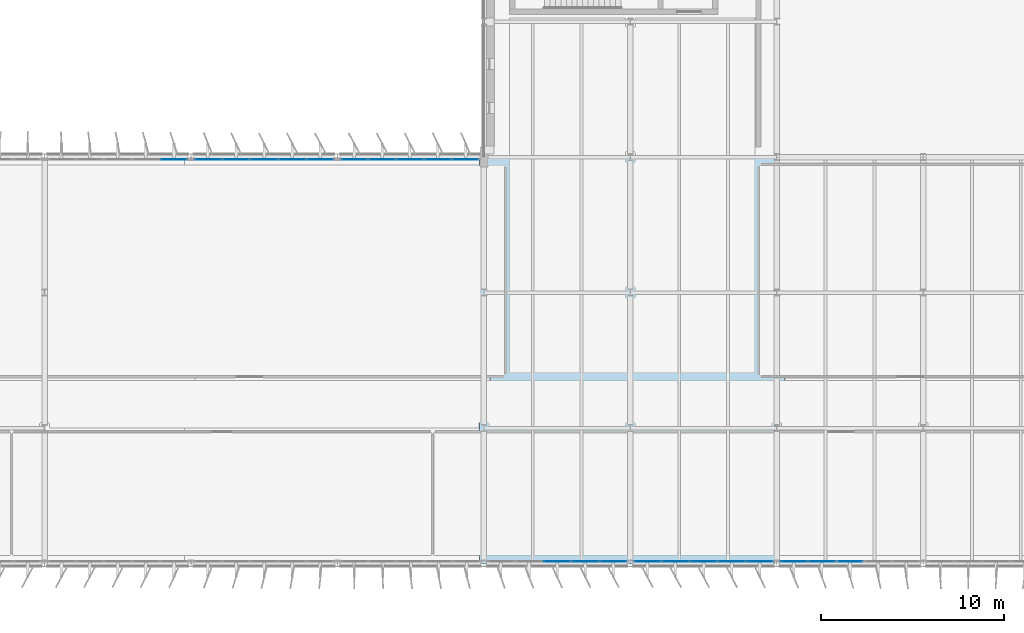
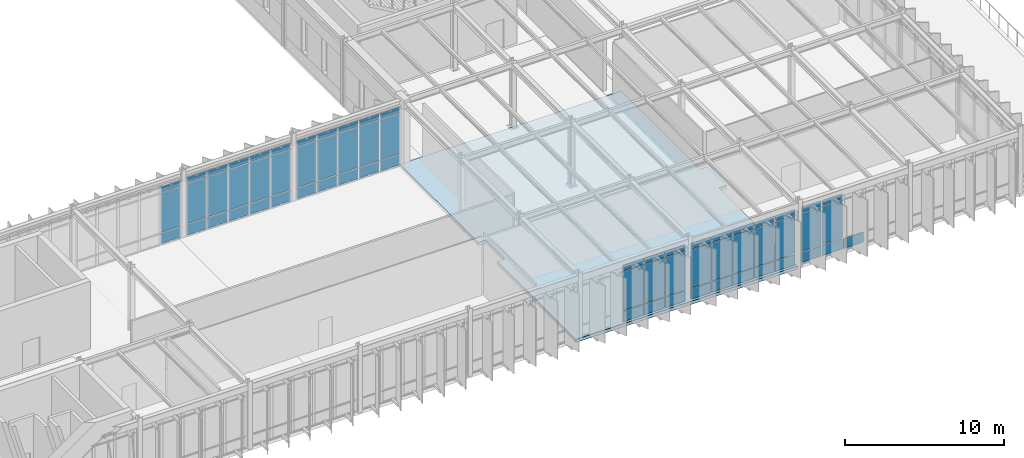
# One storey, part 30 of 48: 64 plates, 1 slab, 6 elements without a shape of their own.
"""IFC4 building model written with IfcOpenShell, lengths in metres."""

from ifc_helpers import new_model, si_unit, direction, frame, origin, origin_2d, place, context, subcontext, project, spatial, polyline, rectangle, outline, extrude, material, layer, layer_set, type_object, element, aggregate, save


model = new_model("IFC4")

# Units and contexts
model_context = context("Model", 3, precision=1e-05, world=origin(), true_north=direction((0.0, 1.0)))
body_context = subcontext(model_context, "Body", "Model", "MODEL_VIEW")
ifc_project = project(units=[si_unit("LENGTHUNIT", "METRE"), si_unit("AREAUNIT", "SQUARE_METRE"), si_unit("VOLUMEUNIT", "CUBIC_METRE"), si_unit("PLANEANGLEUNIT", "RADIAN"), si_unit("MASSUNIT", "GRAM", prefix="KILO")], contexts=[model_context])

# Site, building, storey
site_placement = place(None, origin())
site = spatial("IfcSite", under=ifc_project, at=site_placement, CompositionType="ELEMENT")
building_placement = place(site_placement, origin())
building = spatial("IfcBuilding", under=site, at=building_placement, Name="Valkorina Park Police Headquarters", CompositionType="ELEMENT")
storey_placement = place(building_placement, frame((0.0, 0.0, 18.10009765625)))
storey = spatial("IfcBuildingStorey", under=building, at=storey_placement, Name="L05", CompositionType="ELEMENT", Elevation=18.10009765625)

# Curtain wall, plates
ifc_material_1 = material(Name="Thermally broken aluminium AW-6060", Category="aluminium")
ifc_layer_1 = layer(ifc_material_1, 0.18994140625)
ifc_layer_set_1 = layer_set([ifc_layer_1], Name="Thermally broken aluminium AW-6060")
curtain_wall_type_1 = type_object("IfcCurtainWallType", Name="CW-V5-7680x4410", PredefinedType="NOTDEFINED", material=ifc_layer_set_1)
curtain_wall_1_placement = place(storey_placement, origin())
curtain_wall_1 = element("IfcCurtainWall", 1, at=curtain_wall_1_placement, inside=storey, type_object=curtain_wall_type_1, Name="L05 Unitised Curtain Wall 062", PredefinedType="NOTDEFINED")
ifc_layer_2 = layer(ifc_material_1, 0.050048828125)
ifc_layer_set_2 = layer_set([ifc_layer_2], Name="Thermally broken aluminium AW-6060")
plate_type_1 = type_object("IfcPlateType", Name="PL-CWP-SPANDREL-50", PredefinedType="CURTAIN_PANEL", material=ifc_layer_set_2)
plate_1_placement = place(storey_placement, frame((100.800048828125, 37.1201171875, 0.06982421875), z_axis=(0.0, 0.0, 1.0), x_axis=(-1.0, 0.0, 0.0)))
plate_1 = element("IfcPlate", 2, at=plate_1_placement, type_object=plate_type_1, Name="CW-V5-768-441 panel 3.1", PredefinedType="CURTAIN_PANEL", context=body_context, shape_type="SweptSolid", body=[
    extrude(rectangle(XDim=1.466064453125, YDim=0.028076171875, at=origin_2d()), origin(), (0.0, 0.0, 1.0), 0.794921875),
])
plate_2_placement = place(storey_placement, frame((99.263916015625, 37.1201171875, 0.06982421875), z_axis=(0.0, 0.0, 1.0), x_axis=(-1.0, 0.0, 0.0)))
plate_2 = element("IfcPlate", 3, at=plate_2_placement, type_object=plate_type_1, Name="CW-V5-768-441 panel 4.1", PredefinedType="CURTAIN_PANEL", context=body_context, shape_type="SweptSolid", body=[
    extrude(rectangle(XDim=1.466064453125, YDim=0.028076171875, at=origin_2d()), origin(), (0.0, 0.0, 1.0), 0.794921875),
])
plate_3_placement = place(storey_placement, frame((97.74560546875, 37.1201171875, 0.06982421875), z_axis=(0.0, 0.0, 1.0), x_axis=(-1.0, 0.0, 0.0)))
plate_3 = element("IfcPlate", 4, at=plate_3_placement, type_object=plate_type_1, Name="CW-V5-768-441 panel 5.1", PredefinedType="CURTAIN_PANEL", context=body_context, shape_type="SweptSolid", body=[
    extrude(rectangle(XDim=1.430908203125, YDim=0.028076171875, at=origin_2d()), origin(), (0.0, 0.0, 1.0), 0.794921875),
])

curtain_wall_2_placement = place(storey_placement, origin())
curtain_wall_2 = element("IfcCurtainWall", 5, at=curtain_wall_2_placement, inside=storey, type_object=curtain_wall_type_1, Name="L05 Unitised Curtain Wall 063", PredefinedType="NOTDEFINED")
plate_4_placement = place(storey_placement, frame((95.8544921875, 37.1201171875, 0.06982421875), z_axis=(0.0, 0.0, 1.0), x_axis=(-1.0, 0.0, 0.0)))
plate_4 = element("IfcPlate", 6, at=plate_4_placement, type_object=plate_type_1, Name="CW-V5-768-441 panel 1.1", PredefinedType="CURTAIN_PANEL", context=body_context, shape_type="SweptSolid", body=[
    extrude(rectangle(XDim=1.430908203125, YDim=0.028076171875, at=origin_2d()), origin(), (0.0, 0.0, 1.0), 0.794921875),
])
plate_5_placement = place(storey_placement, frame((94.3359375, 37.1201171875, 0.06982421875), z_axis=(0.0, 0.0, 1.0), x_axis=(-1.0, 0.0, 0.0)))
plate_5 = element("IfcPlate", 7, at=plate_5_placement, type_object=plate_type_1, Name="CW-V5-768-441 panel 2.1", PredefinedType="CURTAIN_PANEL", context=body_context, shape_type="SweptSolid", body=[
    extrude(rectangle(XDim=1.466064453125, YDim=0.028076171875, at=origin_2d()), origin(), (0.0, 0.0, 1.0), 0.794921875),
])
plate_6_placement = place(storey_placement, frame((92.800048828125, 37.1201171875, 0.06982421875), z_axis=(0.0, 0.0, 1.0), x_axis=(-1.0, 0.0, 0.0)))
plate_6 = element("IfcPlate", 8, at=plate_6_placement, type_object=plate_type_1, Name="CW-V5-768-441 panel 3.1", PredefinedType="CURTAIN_PANEL", context=body_context, shape_type="SweptSolid", body=[
    extrude(rectangle(XDim=1.466064453125, YDim=0.028076171875, at=origin_2d()), origin(), (0.0, 0.0, 1.0), 0.794921875),
])
plate_7_placement = place(storey_placement, frame((91.263916015625, 37.1201171875, 0.06982421875), z_axis=(0.0, 0.0, 1.0), x_axis=(-1.0, 0.0, 0.0)))
plate_7 = element("IfcPlate", 9, at=plate_7_placement, type_object=plate_type_1, Name="CW-V5-768-441 panel 4.1", PredefinedType="CURTAIN_PANEL", context=body_context, shape_type="SweptSolid", body=[
    extrude(rectangle(XDim=1.466064453125, YDim=0.028076171875, at=origin_2d()), origin(), (0.0, 0.0, 1.0), 0.794921875),
])
plate_8_placement = place(storey_placement, frame((89.74560546875, 37.1201171875, 0.06982421875), z_axis=(0.0, 0.0, 1.0), x_axis=(-1.0, 0.0, 0.0)))
plate_8 = element("IfcPlate", 10, at=plate_8_placement, type_object=plate_type_1, Name="CW-V5-768-441 panel 5.1", PredefinedType="CURTAIN_PANEL", context=body_context, shape_type="SweptSolid", body=[
    extrude(rectangle(XDim=1.430908203125, YDim=0.028076171875, at=origin_2d()), origin(), (0.0, 0.0, 1.0), 0.794921875),
])

ifc_layer_3 = layer(ifc_material_1, 0.18994140625)
ifc_layer_set_3 = layer_set([ifc_layer_3], Name="Thermally broken aluminium AW-6060")
curtain_wall_type_2 = type_object("IfcCurtainWallType", Name="CW-V5-7680x4470", PredefinedType="NOTDEFINED", material=ifc_layer_set_3)
curtain_wall_3_placement = place(storey_placement, origin())
curtain_wall_3 = element("IfcCurtainWall", 11, at=curtain_wall_3_placement, inside=storey, type_object=curtain_wall_type_2, Name="L05 Unitised Curtain Wall 064", PredefinedType="NOTDEFINED")
plate_9_placement = place(storey_placement, frame((87.8544921875, 37.1201171875, 0.06982421875), z_axis=(0.0, 0.0, 1.0), x_axis=(-1.0, 0.0, 0.0)))
plate_9 = element("IfcPlate", 12, at=plate_9_placement, type_object=plate_type_1, Name="CW-V5-768-447 panel 1.1", PredefinedType="CURTAIN_PANEL", context=body_context, shape_type="SweptSolid", body=[
    extrude(rectangle(XDim=1.430908203125, YDim=0.028076171875, at=origin_2d()), origin(), (0.0, 0.0, 1.0), 0.794921875),
])
plate_10_placement = place(storey_placement, frame((86.3359375, 37.1201171875, 0.06982421875), z_axis=(0.0, 0.0, 1.0), x_axis=(-1.0, 0.0, 0.0)))
plate_10 = element("IfcPlate", 13, at=plate_10_placement, type_object=plate_type_1, Name="CW-V5-768-447 panel 2.1", PredefinedType="CURTAIN_PANEL", context=body_context, shape_type="SweptSolid", body=[
    extrude(rectangle(XDim=1.466064453125, YDim=0.028076171875, at=origin_2d()), origin(), (0.0, 0.0, 1.0), 0.794921875),
])
plate_11_placement = place(storey_placement, frame((84.800048828125, 37.1201171875, 0.06982421875), z_axis=(0.0, 0.0, 1.0), x_axis=(-1.0, 0.0, 0.0)))
plate_11 = element("IfcPlate", 14, at=plate_11_placement, type_object=plate_type_1, Name="CW-V5-768-447 panel 3.1", PredefinedType="CURTAIN_PANEL", context=body_context, shape_type="SweptSolid", body=[
    extrude(rectangle(XDim=1.466064453125, YDim=0.028076171875, at=origin_2d()), origin(), (0.0, 0.0, 1.0), 0.794921875),
])

# Curtain wall, plate
ifc_layer_4 = layer(ifc_material_1, 0.18994140625)
ifc_layer_set_4 = layer_set([ifc_layer_4], Name="Thermally broken aluminium AW-6060")
curtain_wall_type_3 = type_object("IfcCurtainWallType", Name="CW-V5-7680x4520", PredefinedType="NOTDEFINED", material=ifc_layer_set_4)
curtain_wall_4_placement = place(storey_placement, origin())
curtain_wall_4 = element("IfcCurtainWall", 15, at=curtain_wall_4_placement, inside=storey, type_object=curtain_wall_type_3, Name="L05 Unitised Curtain Wall 085", PredefinedType="NOTDEFINED")
plate_12_placement = place(storey_placement, frame((63.8544921875, 59.080078125, 0.06982421875), z_axis=(0.0, 0.0, 1.0), x_axis=(1.0, 0.0, 0.0)))
plate_12 = element("IfcPlate", 16, at=plate_12_placement, type_object=plate_type_1, Name="CW-V5-768-452 panel 5.1", PredefinedType="CURTAIN_PANEL", context=body_context, shape_type="SweptSolid", body=[
    extrude(rectangle(XDim=1.430908203125, YDim=0.028076171875, at=origin_2d()), origin(), (0.0, 0.0, 1.0), 0.794921875),
])

# Curtain wall, plates
ifc_layer_5 = layer(ifc_material_1, 0.18994140625)
ifc_layer_set_5 = layer_set([ifc_layer_5], Name="Thermally broken aluminium AW-6060")
curtain_wall_type_4 = type_object("IfcCurtainWallType", Name="CW-V5-7680x4580", PredefinedType="NOTDEFINED", material=ifc_layer_set_5)
curtain_wall_5_placement = place(storey_placement, origin())
curtain_wall_5 = element("IfcCurtainWall", 17, at=curtain_wall_5_placement, inside=storey, type_object=curtain_wall_type_4, Name="L05 Unitised Curtain Wall 086", PredefinedType="NOTDEFINED")
plate_13_placement = place(storey_placement, frame((65.74560546875, 59.080078125, 0.06982421875), z_axis=(0.0, 0.0, 1.0), x_axis=(1.0, 0.0, 0.0)))
plate_13 = element("IfcPlate", 18, at=plate_13_placement, type_object=plate_type_1, Name="CW-V5-768-458 panel 1.1", PredefinedType="CURTAIN_PANEL", context=body_context, shape_type="SweptSolid", body=[
    extrude(rectangle(XDim=1.430908203125, YDim=0.028076171875, at=origin_2d()), origin(), (0.0, 0.0, 1.0), 0.794921875),
])
plate_14_placement = place(storey_placement, frame((67.263916015625, 59.080078125, 0.06982421875), z_axis=(0.0, 0.0, 1.0), x_axis=(1.0, 0.0, 0.0)))
plate_14 = element("IfcPlate", 19, at=plate_14_placement, type_object=plate_type_1, Name="CW-V5-768-458 panel 2.1", PredefinedType="CURTAIN_PANEL", context=body_context, shape_type="SweptSolid", body=[
    extrude(rectangle(XDim=1.466064453125, YDim=0.028076171875, at=origin_2d()), origin(), (0.0, 0.0, 1.0), 0.794921875),
])
plate_15_placement = place(storey_placement, frame((68.800048828125, 59.080078125, 0.06982421875), z_axis=(0.0, 0.0, 1.0), x_axis=(1.0, 0.0, 0.0)))
plate_15 = element("IfcPlate", 20, at=plate_15_placement, type_object=plate_type_1, Name="CW-V5-768-458 panel 3.1", PredefinedType="CURTAIN_PANEL", context=body_context, shape_type="SweptSolid", body=[
    extrude(rectangle(XDim=1.466064453125, YDim=0.028076171875, at=origin_2d()), origin(), (0.0, 0.0, 1.0), 0.794921875),
])
plate_16_placement = place(storey_placement, frame((70.3359375, 59.080078125, 0.06982421875), z_axis=(0.0, 0.0, 1.0), x_axis=(1.0, 0.0, 0.0)))
plate_16 = element("IfcPlate", 21, at=plate_16_placement, type_object=plate_type_1, Name="CW-V5-768-458 panel 4.1", PredefinedType="CURTAIN_PANEL", context=body_context, shape_type="SweptSolid", body=[
    extrude(rectangle(XDim=1.466064453125, YDim=0.028076171875, at=origin_2d()), origin(), (0.0, 0.0, 1.0), 0.794921875),
])
plate_17_placement = place(storey_placement, frame((71.8544921875, 59.080078125, 0.06982421875), z_axis=(0.0, 0.0, 1.0), x_axis=(1.0, 0.0, 0.0)))
plate_17 = element("IfcPlate", 22, at=plate_17_placement, type_object=plate_type_1, Name="CW-V5-768-458 panel 5.1", PredefinedType="CURTAIN_PANEL", context=body_context, shape_type="SweptSolid", body=[
    extrude(rectangle(XDim=1.430908203125, YDim=0.028076171875, at=origin_2d()), origin(), (0.0, 0.0, 1.0), 0.794921875),
])

ifc_layer_6 = layer(ifc_material_1, 0.18994140625)
ifc_layer_set_6 = layer_set([ifc_layer_6], Name="Thermally broken aluminium AW-6060")
curtain_wall_type_5 = type_object("IfcCurtainWallType", Name="CW-V5-7600x4580", PredefinedType="NOTDEFINED", material=ifc_layer_set_6)
curtain_wall_6_placement = place(storey_placement, origin())
curtain_wall_6 = element("IfcCurtainWall", 23, at=curtain_wall_6_placement, inside=storey, type_object=curtain_wall_type_5, Name="L05 Unitised Curtain Wall 087", PredefinedType="NOTDEFINED")
plate_18_placement = place(storey_placement, frame((73.738037109375, 59.080078125, 0.06982421875), z_axis=(0.0, 0.0, 1.0), x_axis=(1.0, 0.0, 0.0)))
plate_18 = element("IfcPlate", 24, at=plate_18_placement, type_object=plate_type_1, Name="CW-V5-760-458 panel 1.1", PredefinedType="CURTAIN_PANEL", context=body_context, shape_type="SweptSolid", body=[
    extrude(rectangle(XDim=1.416015625, YDim=0.028076171875, at=origin_2d()), origin(), (0.0, 0.0, 1.0), 0.794921875),
])
plate_19_placement = place(storey_placement, frame((75.241455078125, 59.080078125, 0.06982421875), z_axis=(0.0, 0.0, 1.0), x_axis=(1.0, 0.0, 0.0)))
plate_19 = element("IfcPlate", 25, at=plate_19_placement, type_object=plate_type_1, Name="CW-V5-760-458 panel 2.1", PredefinedType="CURTAIN_PANEL", context=body_context, shape_type="SweptSolid", body=[
    extrude(rectangle(XDim=1.450927734375, YDim=0.028076171875, at=origin_2d()), origin(), (0.0, 0.0, 1.0), 0.794921875),
])
plate_20_placement = place(storey_placement, frame((76.762451171875, 59.080078125, 0.06982421875), z_axis=(0.0, 0.0, 1.0), x_axis=(1.0, 0.0, 0.0)))
plate_20 = element("IfcPlate", 26, at=plate_20_placement, type_object=plate_type_1, Name="CW-V5-760-458 panel 3.1", PredefinedType="CURTAIN_PANEL", context=body_context, shape_type="SweptSolid", body=[
    extrude(rectangle(XDim=1.450927734375, YDim=0.028076171875, at=origin_2d()), origin(), (0.0, 0.0, 1.0), 0.794921875),
])
plate_21_placement = place(storey_placement, frame((78.283447265625, 59.080078125, 0.06982421875), z_axis=(0.0, 0.0, 1.0), x_axis=(1.0, 0.0, 0.0)))
plate_21 = element("IfcPlate", 27, at=plate_21_placement, type_object=plate_type_1, Name="CW-V5-760-458 panel 4.1", PredefinedType="CURTAIN_PANEL", context=body_context, shape_type="SweptSolid", body=[
    extrude(rectangle(XDim=1.450927734375, YDim=0.028076171875, at=origin_2d()), origin(), (0.0, 0.0, 1.0), 0.794921875),
])
plate_22_placement = place(storey_placement, frame((79.787109375, 59.080078125, 0.06982421875), z_axis=(0.0, 0.0, 1.0), x_axis=(1.0, 0.0, 0.0)))
plate_22 = element("IfcPlate", 28, at=plate_22_placement, type_object=plate_type_1, Name="CW-V5-760-458 panel 5.1", PredefinedType="CURTAIN_PANEL", context=body_context, shape_type="SweptSolid", body=[
    extrude(rectangle(XDim=1.416015625, YDim=0.028076171875, at=origin_2d()), origin(), (0.0, 0.0, 1.0), 0.794921875),
])

# Plate
ifc_material_2 = material(Name="Triple low-E insulated glazing", Category="glass")
ifc_layer_7 = layer(ifc_material_2, 0.028076171875)
ifc_layer_set_7 = layer_set([ifc_layer_7], Name="Triple low-E insulated glazing")
plate_type_2 = type_object("IfcPlateType", Name="PL-CWP-VISION-28", PredefinedType="CURTAIN_PANEL", material=ifc_layer_set_7)
plate_23_placement = place(storey_placement, frame((99.263916015625, 37.1201171875, 0.93505859375), z_axis=(0.0, 0.0, 1.0), x_axis=(-1.0, 0.0, 0.0)))
plate_23 = element("IfcPlate", 29, at=plate_23_placement, type_object=plate_type_2, Name="CW-V5-768-441 panel 4.2", PredefinedType="CURTAIN_PANEL", context=body_context, shape_type="SweptSolid", body=[
    extrude(rectangle(XDim=1.466064453125, YDim=0.028076171875, at=origin_2d()), origin(), (0.0, 0.0, 1.0), 2.919921875),
])

plate_24_placement = place(storey_placement, frame((99.263916015625, 37.1201171875, 3.9248046875), z_axis=(0.0, 0.0, 1.0), x_axis=(-1.0, 0.0, 0.0)))
plate_24 = element("IfcPlate", 30, at=plate_24_placement, type_object=plate_type_2, Name="CW-V5-768-441 panel 4.3", PredefinedType="CURTAIN_PANEL", context=body_context, shape_type="SweptSolid", body=[
    extrude(rectangle(XDim=1.466064453125, YDim=0.028076171875, at=origin_2d()), origin(), (0.0, 0.0, 1.0), 0.4150390625),
])

plate_25_placement = place(storey_placement, frame((97.74560546875, 37.1201171875, 0.93505859375), z_axis=(0.0, 0.0, 1.0), x_axis=(-1.0, 0.0, 0.0)))
plate_25 = element("IfcPlate", 31, at=plate_25_placement, type_object=plate_type_2, Name="CW-V5-768-441 panel 5.2", PredefinedType="CURTAIN_PANEL", context=body_context, shape_type="SweptSolid", body=[
    extrude(rectangle(XDim=1.430908203125, YDim=0.028076171875, at=origin_2d()), origin(), (0.0, 0.0, 1.0), 2.919921875),
])

plate_26_placement = place(storey_placement, frame((97.74560546875, 37.1201171875, 3.9248046875), z_axis=(0.0, 0.0, 1.0), x_axis=(-1.0, 0.0, 0.0)))
plate_26 = element("IfcPlate", 32, at=plate_26_placement, type_object=plate_type_2, Name="CW-V5-768-441 panel 5.3", PredefinedType="CURTAIN_PANEL", context=body_context, shape_type="SweptSolid", body=[
    extrude(rectangle(XDim=1.430908203125, YDim=0.028076171875, at=origin_2d()), origin(), (0.0, 0.0, 1.0), 0.4150390625),
])

aggregate(curtain_wall_1, [plate_1, plate_2, plate_23, plate_24, plate_3, plate_25, plate_26])

plate_27_placement = place(storey_placement, frame((95.8544921875, 37.1201171875, 0.93505859375), z_axis=(0.0, 0.0, 1.0), x_axis=(-1.0, 0.0, 0.0)))
plate_27 = element("IfcPlate", 33, at=plate_27_placement, type_object=plate_type_2, Name="CW-V5-768-441 panel 1.2", PredefinedType="CURTAIN_PANEL", context=body_context, shape_type="SweptSolid", body=[
    extrude(rectangle(XDim=1.430908203125, YDim=0.028076171875, at=origin_2d()), origin(), (0.0, 0.0, 1.0), 2.919921875),
])

plate_28_placement = place(storey_placement, frame((95.8544921875, 37.1201171875, 3.9248046875), z_axis=(0.0, 0.0, 1.0), x_axis=(-1.0, 0.0, 0.0)))
plate_28 = element("IfcPlate", 34, at=plate_28_placement, type_object=plate_type_2, Name="CW-V5-768-441 panel 1.3", PredefinedType="CURTAIN_PANEL", context=body_context, shape_type="SweptSolid", body=[
    extrude(rectangle(XDim=1.430908203125, YDim=0.028076171875, at=origin_2d()), origin(), (0.0, 0.0, 1.0), 0.4150390625),
])

plate_29_placement = place(storey_placement, frame((94.3359375, 37.1201171875, 0.93505859375), z_axis=(0.0, 0.0, 1.0), x_axis=(-1.0, 0.0, 0.0)))
plate_29 = element("IfcPlate", 35, at=plate_29_placement, type_object=plate_type_2, Name="CW-V5-768-441 panel 2.2", PredefinedType="CURTAIN_PANEL", context=body_context, shape_type="SweptSolid", body=[
    extrude(rectangle(XDim=1.466064453125, YDim=0.028076171875, at=origin_2d()), origin(), (0.0, 0.0, 1.0), 2.919921875),
])

plate_30_placement = place(storey_placement, frame((94.3359375, 37.1201171875, 3.9248046875), z_axis=(0.0, 0.0, 1.0), x_axis=(-1.0, 0.0, 0.0)))
plate_30 = element("IfcPlate", 36, at=plate_30_placement, type_object=plate_type_2, Name="CW-V5-768-441 panel 2.3", PredefinedType="CURTAIN_PANEL", context=body_context, shape_type="SweptSolid", body=[
    extrude(rectangle(XDim=1.466064453125, YDim=0.028076171875, at=origin_2d()), origin(), (0.0, 0.0, 1.0), 0.4150390625),
])

plate_31_placement = place(storey_placement, frame((92.800048828125, 37.1201171875, 0.93505859375), z_axis=(0.0, 0.0, 1.0), x_axis=(-1.0, 0.0, 0.0)))
plate_31 = element("IfcPlate", 37, at=plate_31_placement, type_object=plate_type_2, Name="CW-V5-768-441 panel 3.2", PredefinedType="CURTAIN_PANEL", context=body_context, shape_type="SweptSolid", body=[
    extrude(rectangle(XDim=1.466064453125, YDim=0.028076171875, at=origin_2d()), origin(), (0.0, 0.0, 1.0), 2.919921875),
])

plate_32_placement = place(storey_placement, frame((92.800048828125, 37.1201171875, 3.9248046875), z_axis=(0.0, 0.0, 1.0), x_axis=(-1.0, 0.0, 0.0)))
plate_32 = element("IfcPlate", 38, at=plate_32_placement, type_object=plate_type_2, Name="CW-V5-768-441 panel 3.3", PredefinedType="CURTAIN_PANEL", context=body_context, shape_type="SweptSolid", body=[
    extrude(rectangle(XDim=1.466064453125, YDim=0.028076171875, at=origin_2d()), origin(), (0.0, 0.0, 1.0), 0.4150390625),
])

plate_33_placement = place(storey_placement, frame((91.263916015625, 37.1201171875, 0.93505859375), z_axis=(0.0, 0.0, 1.0), x_axis=(-1.0, 0.0, 0.0)))
plate_33 = element("IfcPlate", 39, at=plate_33_placement, type_object=plate_type_2, Name="CW-V5-768-441 panel 4.2", PredefinedType="CURTAIN_PANEL", context=body_context, shape_type="SweptSolid", body=[
    extrude(rectangle(XDim=1.466064453125, YDim=0.028076171875, at=origin_2d()), origin(), (0.0, 0.0, 1.0), 2.919921875),
])

plate_34_placement = place(storey_placement, frame((91.263916015625, 37.1201171875, 3.9248046875), z_axis=(0.0, 0.0, 1.0), x_axis=(-1.0, 0.0, 0.0)))
plate_34 = element("IfcPlate", 40, at=plate_34_placement, type_object=plate_type_2, Name="CW-V5-768-441 panel 4.3", PredefinedType="CURTAIN_PANEL", context=body_context, shape_type="SweptSolid", body=[
    extrude(rectangle(XDim=1.466064453125, YDim=0.028076171875, at=origin_2d()), origin(), (0.0, 0.0, 1.0), 0.4150390625),
])

plate_35_placement = place(storey_placement, frame((89.74560546875, 37.1201171875, 0.93505859375), z_axis=(0.0, 0.0, 1.0), x_axis=(-1.0, 0.0, 0.0)))
plate_35 = element("IfcPlate", 41, at=plate_35_placement, type_object=plate_type_2, Name="CW-V5-768-441 panel 5.2", PredefinedType="CURTAIN_PANEL", context=body_context, shape_type="SweptSolid", body=[
    extrude(rectangle(XDim=1.430908203125, YDim=0.028076171875, at=origin_2d()), origin(), (0.0, 0.0, 1.0), 2.919921875),
])

plate_36_placement = place(storey_placement, frame((89.74560546875, 37.1201171875, 3.9248046875), z_axis=(0.0, 0.0, 1.0), x_axis=(-1.0, 0.0, 0.0)))
plate_36 = element("IfcPlate", 42, at=plate_36_placement, type_object=plate_type_2, Name="CW-V5-768-441 panel 5.3", PredefinedType="CURTAIN_PANEL", context=body_context, shape_type="SweptSolid", body=[
    extrude(rectangle(XDim=1.430908203125, YDim=0.028076171875, at=origin_2d()), origin(), (0.0, 0.0, 1.0), 0.4150390625),
])

aggregate(curtain_wall_2, [plate_4, plate_27, plate_28, plate_5, plate_29, plate_30, plate_6, plate_31, plate_32, plate_7, plate_33, plate_34, plate_8, plate_35, plate_36])

plate_37_placement = place(storey_placement, frame((87.8544921875, 37.1201171875, 0.934814453125), z_axis=(0.0, 0.0, 1.0), x_axis=(-1.0, 0.0, 0.0)))
plate_37 = element("IfcPlate", 43, at=plate_37_placement, type_object=plate_type_2, Name="CW-V5-768-447 panel 1.2", PredefinedType="CURTAIN_PANEL", context=body_context, shape_type="SweptSolid", body=[
    extrude(rectangle(XDim=1.430908203125, YDim=0.028076171875, at=origin_2d()), origin(), (0.0, 0.0, 1.0), 2.97998046875),
])

plate_38_placement = place(storey_placement, frame((87.8544921875, 37.1201171875, 3.98486328125), z_axis=(0.0, 0.0, 1.0), x_axis=(-1.0, 0.0, 0.0)))
plate_38 = element("IfcPlate", 44, at=plate_38_placement, type_object=plate_type_2, Name="CW-V5-768-447 panel 1.3", PredefinedType="CURTAIN_PANEL", context=body_context, shape_type="SweptSolid", body=[
    extrude(rectangle(XDim=1.430908203125, YDim=0.028076171875, at=origin_2d()), origin(), (0.0, 0.0, 1.0), 0.4150390625),
])

plate_39_placement = place(storey_placement, frame((86.3359375, 37.1201171875, 0.934814453125), z_axis=(0.0, 0.0, 1.0), x_axis=(-1.0, 0.0, 0.0)))
plate_39 = element("IfcPlate", 45, at=plate_39_placement, type_object=plate_type_2, Name="CW-V5-768-447 panel 2.2", PredefinedType="CURTAIN_PANEL", context=body_context, shape_type="SweptSolid", body=[
    extrude(rectangle(XDim=1.466064453125, YDim=0.028076171875, at=origin_2d()), origin(), (0.0, 0.0, 1.0), 2.97998046875),
])

plate_40_placement = place(storey_placement, frame((86.3359375, 37.1201171875, 3.98486328125), z_axis=(0.0, 0.0, 1.0), x_axis=(-1.0, 0.0, 0.0)))
plate_40 = element("IfcPlate", 46, at=plate_40_placement, type_object=plate_type_2, Name="CW-V5-768-447 panel 2.3", PredefinedType="CURTAIN_PANEL", context=body_context, shape_type="SweptSolid", body=[
    extrude(rectangle(XDim=1.466064453125, YDim=0.028076171875, at=origin_2d()), origin(), (0.0, 0.0, 1.0), 0.4150390625),
])

plate_41_placement = place(storey_placement, frame((84.800048828125, 37.1201171875, 0.934814453125), z_axis=(0.0, 0.0, 1.0), x_axis=(-1.0, 0.0, 0.0)))
plate_41 = element("IfcPlate", 47, at=plate_41_placement, type_object=plate_type_2, Name="CW-V5-768-447 panel 3.2", PredefinedType="CURTAIN_PANEL", context=body_context, shape_type="SweptSolid", body=[
    extrude(rectangle(XDim=1.466064453125, YDim=0.028076171875, at=origin_2d()), origin(), (0.0, 0.0, 1.0), 2.97998046875),
])

plate_42_placement = place(storey_placement, frame((84.800048828125, 37.1201171875, 3.98486328125), z_axis=(0.0, 0.0, 1.0), x_axis=(-1.0, 0.0, 0.0)))
plate_42 = element("IfcPlate", 48, at=plate_42_placement, type_object=plate_type_2, Name="CW-V5-768-447 panel 3.3", PredefinedType="CURTAIN_PANEL", context=body_context, shape_type="SweptSolid", body=[
    extrude(rectangle(XDim=1.466064453125, YDim=0.028076171875, at=origin_2d()), origin(), (0.0, 0.0, 1.0), 0.4150390625),
])

aggregate(curtain_wall_3, [plate_9, plate_37, plate_38, plate_10, plate_39, plate_40, plate_11, plate_41, plate_42])

plate_43_placement = place(storey_placement, frame((63.8544921875, 59.080078125, 0.93505859375), z_axis=(0.0, 0.0, 1.0), x_axis=(1.0, 0.0, 0.0)))
plate_43 = element("IfcPlate", 49, at=plate_43_placement, type_object=plate_type_2, Name="CW-V5-768-452 panel 5.2", PredefinedType="CURTAIN_PANEL", context=body_context, shape_type="SweptSolid", body=[
    extrude(rectangle(XDim=1.430908203125, YDim=0.028076171875, at=origin_2d()), origin(), (0.0, 0.0, 1.0), 3.030029296875),
])

plate_44_placement = place(storey_placement, frame((63.8544921875, 59.080078125, 4.034912109375), z_axis=(0.0, 0.0, 1.0), x_axis=(1.0, 0.0, 0.0)))
plate_44 = element("IfcPlate", 50, at=plate_44_placement, type_object=plate_type_2, Name="CW-V5-768-452 panel 5.3", PredefinedType="CURTAIN_PANEL", context=body_context, shape_type="SweptSolid", body=[
    extrude(rectangle(XDim=1.430908203125, YDim=0.028076171875, at=origin_2d()), origin(), (0.0, 0.0, 1.0), 0.4150390625),
])

aggregate(curtain_wall_4, [plate_12, plate_43, plate_44])

plate_45_placement = place(storey_placement, frame((65.74560546875, 59.080078125, 0.93505859375), z_axis=(0.0, 0.0, 1.0), x_axis=(1.0, 0.0, 0.0)))
plate_45 = element("IfcPlate", 51, at=plate_45_placement, type_object=plate_type_2, Name="CW-V5-768-458 panel 1.2", PredefinedType="CURTAIN_PANEL", context=body_context, shape_type="SweptSolid", body=[
    extrude(rectangle(XDim=1.430908203125, YDim=0.028076171875, at=origin_2d()), origin(), (0.0, 0.0, 1.0), 3.090087890625),
])

plate_46_placement = place(storey_placement, frame((65.74560546875, 59.080078125, 4.094970703125), z_axis=(0.0, 0.0, 1.0), x_axis=(1.0, 0.0, 0.0)))
plate_46 = element("IfcPlate", 52, at=plate_46_placement, type_object=plate_type_2, Name="CW-V5-768-458 panel 1.3", PredefinedType="CURTAIN_PANEL", context=body_context, shape_type="SweptSolid", body=[
    extrude(rectangle(XDim=1.430908203125, YDim=0.028076171875, at=origin_2d()), origin(), (0.0, 0.0, 1.0), 0.4150390625),
])

plate_47_placement = place(storey_placement, frame((67.263916015625, 59.080078125, 0.93505859375), z_axis=(0.0, 0.0, 1.0), x_axis=(1.0, 0.0, 0.0)))
plate_47 = element("IfcPlate", 53, at=plate_47_placement, type_object=plate_type_2, Name="CW-V5-768-458 panel 2.2", PredefinedType="CURTAIN_PANEL", context=body_context, shape_type="SweptSolid", body=[
    extrude(rectangle(XDim=1.466064453125, YDim=0.028076171875, at=origin_2d()), origin(), (0.0, 0.0, 1.0), 3.090087890625),
])

plate_48_placement = place(storey_placement, frame((67.263916015625, 59.080078125, 4.094970703125), z_axis=(0.0, 0.0, 1.0), x_axis=(1.0, 0.0, 0.0)))
plate_48 = element("IfcPlate", 54, at=plate_48_placement, type_object=plate_type_2, Name="CW-V5-768-458 panel 2.3", PredefinedType="CURTAIN_PANEL", context=body_context, shape_type="SweptSolid", body=[
    extrude(rectangle(XDim=1.466064453125, YDim=0.028076171875, at=origin_2d()), origin(), (0.0, 0.0, 1.0), 0.4150390625),
])

plate_49_placement = place(storey_placement, frame((68.800048828125, 59.080078125, 0.93505859375), z_axis=(0.0, 0.0, 1.0), x_axis=(1.0, 0.0, 0.0)))
plate_49 = element("IfcPlate", 55, at=plate_49_placement, type_object=plate_type_2, Name="CW-V5-768-458 panel 3.2", PredefinedType="CURTAIN_PANEL", context=body_context, shape_type="SweptSolid", body=[
    extrude(rectangle(XDim=1.466064453125, YDim=0.028076171875, at=origin_2d()), origin(), (0.0, 0.0, 1.0), 3.090087890625),
])

plate_50_placement = place(storey_placement, frame((68.800048828125, 59.080078125, 4.094970703125), z_axis=(0.0, 0.0, 1.0), x_axis=(1.0, 0.0, 0.0)))
plate_50 = element("IfcPlate", 56, at=plate_50_placement, type_object=plate_type_2, Name="CW-V5-768-458 panel 3.3", PredefinedType="CURTAIN_PANEL", context=body_context, shape_type="SweptSolid", body=[
    extrude(rectangle(XDim=1.466064453125, YDim=0.028076171875, at=origin_2d()), origin(), (0.0, 0.0, 1.0), 0.4150390625),
])

plate_51_placement = place(storey_placement, frame((70.3359375, 59.080078125, 0.93505859375), z_axis=(0.0, 0.0, 1.0), x_axis=(1.0, 0.0, 0.0)))
plate_51 = element("IfcPlate", 57, at=plate_51_placement, type_object=plate_type_2, Name="CW-V5-768-458 panel 4.2", PredefinedType="CURTAIN_PANEL", context=body_context, shape_type="SweptSolid", body=[
    extrude(rectangle(XDim=1.466064453125, YDim=0.028076171875, at=origin_2d()), origin(), (0.0, 0.0, 1.0), 3.090087890625),
])

plate_52_placement = place(storey_placement, frame((70.3359375, 59.080078125, 4.094970703125), z_axis=(0.0, 0.0, 1.0), x_axis=(1.0, 0.0, 0.0)))
plate_52 = element("IfcPlate", 58, at=plate_52_placement, type_object=plate_type_2, Name="CW-V5-768-458 panel 4.3", PredefinedType="CURTAIN_PANEL", context=body_context, shape_type="SweptSolid", body=[
    extrude(rectangle(XDim=1.466064453125, YDim=0.028076171875, at=origin_2d()), origin(), (0.0, 0.0, 1.0), 0.4150390625),
])

plate_53_placement = place(storey_placement, frame((71.8544921875, 59.080078125, 0.93505859375), z_axis=(0.0, 0.0, 1.0), x_axis=(1.0, 0.0, 0.0)))
plate_53 = element("IfcPlate", 59, at=plate_53_placement, type_object=plate_type_2, Name="CW-V5-768-458 panel 5.2", PredefinedType="CURTAIN_PANEL", context=body_context, shape_type="SweptSolid", body=[
    extrude(rectangle(XDim=1.430908203125, YDim=0.028076171875, at=origin_2d()), origin(), (0.0, 0.0, 1.0), 3.090087890625),
])

plate_54_placement = place(storey_placement, frame((71.8544921875, 59.080078125, 4.094970703125), z_axis=(0.0, 0.0, 1.0), x_axis=(1.0, 0.0, 0.0)))
plate_54 = element("IfcPlate", 60, at=plate_54_placement, type_object=plate_type_2, Name="CW-V5-768-458 panel 5.3", PredefinedType="CURTAIN_PANEL", context=body_context, shape_type="SweptSolid", body=[
    extrude(rectangle(XDim=1.430908203125, YDim=0.028076171875, at=origin_2d()), origin(), (0.0, 0.0, 1.0), 0.4150390625),
])

aggregate(curtain_wall_5, [plate_13, plate_45, plate_46, plate_14, plate_47, plate_48, plate_15, plate_49, plate_50, plate_16, plate_51, plate_52, plate_17, plate_53, plate_54])

plate_55_placement = place(storey_placement, frame((73.738037109375, 59.080078125, 0.93505859375), z_axis=(0.0, 0.0, 1.0), x_axis=(1.0, 0.0, 0.0)))
plate_55 = element("IfcPlate", 61, at=plate_55_placement, type_object=plate_type_2, Name="CW-V5-760-458 panel 1.2", PredefinedType="CURTAIN_PANEL", context=body_context, shape_type="SweptSolid", body=[
    extrude(rectangle(XDim=1.416015625, YDim=0.028076171875, at=origin_2d()), origin(), (0.0, 0.0, 1.0), 3.090087890625),
])

plate_56_placement = place(storey_placement, frame((73.738037109375, 59.080078125, 4.094970703125), z_axis=(0.0, 0.0, 1.0), x_axis=(1.0, 0.0, 0.0)))
plate_56 = element("IfcPlate", 62, at=plate_56_placement, type_object=plate_type_2, Name="CW-V5-760-458 panel 1.3", PredefinedType="CURTAIN_PANEL", context=body_context, shape_type="SweptSolid", body=[
    extrude(rectangle(XDim=1.416015625, YDim=0.028076171875, at=origin_2d()), origin(), (0.0, 0.0, 1.0), 0.4150390625),
])

plate_57_placement = place(storey_placement, frame((75.241455078125, 59.080078125, 0.93505859375), z_axis=(0.0, 0.0, 1.0), x_axis=(1.0, 0.0, 0.0)))
plate_57 = element("IfcPlate", 63, at=plate_57_placement, type_object=plate_type_2, Name="CW-V5-760-458 panel 2.2", PredefinedType="CURTAIN_PANEL", context=body_context, shape_type="SweptSolid", body=[
    extrude(rectangle(XDim=1.450927734375, YDim=0.028076171875, at=origin_2d()), origin(), (0.0, 0.0, 1.0), 3.090087890625),
])

plate_58_placement = place(storey_placement, frame((75.241455078125, 59.080078125, 4.094970703125), z_axis=(0.0, 0.0, 1.0), x_axis=(1.0, 0.0, 0.0)))
plate_58 = element("IfcPlate", 64, at=plate_58_placement, type_object=plate_type_2, Name="CW-V5-760-458 panel 2.3", PredefinedType="CURTAIN_PANEL", context=body_context, shape_type="SweptSolid", body=[
    extrude(rectangle(XDim=1.450927734375, YDim=0.028076171875, at=origin_2d()), origin(), (0.0, 0.0, 1.0), 0.4150390625),
])

plate_59_placement = place(storey_placement, frame((76.762451171875, 59.080078125, 0.93505859375), z_axis=(0.0, 0.0, 1.0), x_axis=(1.0, 0.0, 0.0)))
plate_59 = element("IfcPlate", 65, at=plate_59_placement, type_object=plate_type_2, Name="CW-V5-760-458 panel 3.2", PredefinedType="CURTAIN_PANEL", context=body_context, shape_type="SweptSolid", body=[
    extrude(rectangle(XDim=1.450927734375, YDim=0.028076171875, at=origin_2d()), origin(), (0.0, 0.0, 1.0), 3.090087890625),
])

plate_60_placement = place(storey_placement, frame((76.762451171875, 59.080078125, 4.094970703125), z_axis=(0.0, 0.0, 1.0), x_axis=(1.0, 0.0, 0.0)))
plate_60 = element("IfcPlate", 66, at=plate_60_placement, type_object=plate_type_2, Name="CW-V5-760-458 panel 3.3", PredefinedType="CURTAIN_PANEL", context=body_context, shape_type="SweptSolid", body=[
    extrude(rectangle(XDim=1.450927734375, YDim=0.028076171875, at=origin_2d()), origin(), (0.0, 0.0, 1.0), 0.4150390625),
])

plate_61_placement = place(storey_placement, frame((78.283447265625, 59.080078125, 0.93505859375), z_axis=(0.0, 0.0, 1.0), x_axis=(1.0, 0.0, 0.0)))
plate_61 = element("IfcPlate", 67, at=plate_61_placement, type_object=plate_type_2, Name="CW-V5-760-458 panel 4.2", PredefinedType="CURTAIN_PANEL", context=body_context, shape_type="SweptSolid", body=[
    extrude(rectangle(XDim=1.450927734375, YDim=0.028076171875, at=origin_2d()), origin(), (0.0, 0.0, 1.0), 3.090087890625),
])

plate_62_placement = place(storey_placement, frame((78.283447265625, 59.080078125, 4.094970703125), z_axis=(0.0, 0.0, 1.0), x_axis=(1.0, 0.0, 0.0)))
plate_62 = element("IfcPlate", 68, at=plate_62_placement, type_object=plate_type_2, Name="CW-V5-760-458 panel 4.3", PredefinedType="CURTAIN_PANEL", context=body_context, shape_type="SweptSolid", body=[
    extrude(rectangle(XDim=1.450927734375, YDim=0.028076171875, at=origin_2d()), origin(), (0.0, 0.0, 1.0), 0.4150390625),
])

plate_63_placement = place(storey_placement, frame((79.787109375, 59.080078125, 0.93505859375), z_axis=(0.0, 0.0, 1.0), x_axis=(1.0, 0.0, 0.0)))
plate_63 = element("IfcPlate", 69, at=plate_63_placement, type_object=plate_type_2, Name="CW-V5-760-458 panel 5.2", PredefinedType="CURTAIN_PANEL", context=body_context, shape_type="SweptSolid", body=[
    extrude(rectangle(XDim=1.416015625, YDim=0.028076171875, at=origin_2d()), origin(), (0.0, 0.0, 1.0), 3.090087890625),
])

plate_64_placement = place(storey_placement, frame((79.787109375, 59.080078125, 4.094970703125), z_axis=(0.0, 0.0, 1.0), x_axis=(1.0, 0.0, 0.0)))
plate_64 = element("IfcPlate", 70, at=plate_64_placement, type_object=plate_type_2, Name="CW-V5-760-458 panel 5.3", PredefinedType="CURTAIN_PANEL", context=body_context, shape_type="SweptSolid", body=[
    extrude(rectangle(XDim=1.416015625, YDim=0.028076171875, at=origin_2d()), origin(), (0.0, 0.0, 1.0), 0.4150390625),
])

aggregate(curtain_wall_6, [plate_18, plate_55, plate_56, plate_19, plate_57, plate_58, plate_20, plate_59, plate_60, plate_21, plate_61, plate_62, plate_22, plate_63, plate_64])

# Slab
ifc_material_3 = material(Name="Concrete C35/45", Category="concrete")
ifc_layer_8 = layer(ifc_material_3, 0.2451171875)
ifc_layer_set_8 = layer_set([ifc_layer_8], Name="Concrete C35/45")
slab_type = type_object("IfcSlabType", Name="SL-COMP-LAB-170", PredefinedType="FLOOR", material=ifc_layer_set_8)
slab_placement = place(storey_placement, frame((0.0, 0.0, -0.2451171875)))
element("IfcSlab", 71, at=slab_placement, inside=storey, type_object=slab_type, Name="L05 Structural Floor Slab 94", PredefinedType="FLOOR", context=body_context, shape_type="SweptSolid", body=[
    extrude(outline(polyline([(97.235595703125, 49.2958984375), (96.685791015625, 49.2958984375), (96.685791015625, 59.19189453125), (80.5712890625, 59.19189453125), (80.5712890625, 49.2958984375), (81.121337890625, 49.2958984375), (81.121337890625, 46.89599609375), (80.5712890625, 46.89599609375), (80.5712890625, 37.0), (96.685791015625, 37.0), (96.685791015625, 46.89599609375), (97.235595703125, 46.89599609375), (97.235595703125, 49.2958984375)])), origin(), (0.0, 0.0, 1.0), 0.2451171875),
])

save(model, "model.ifc")
